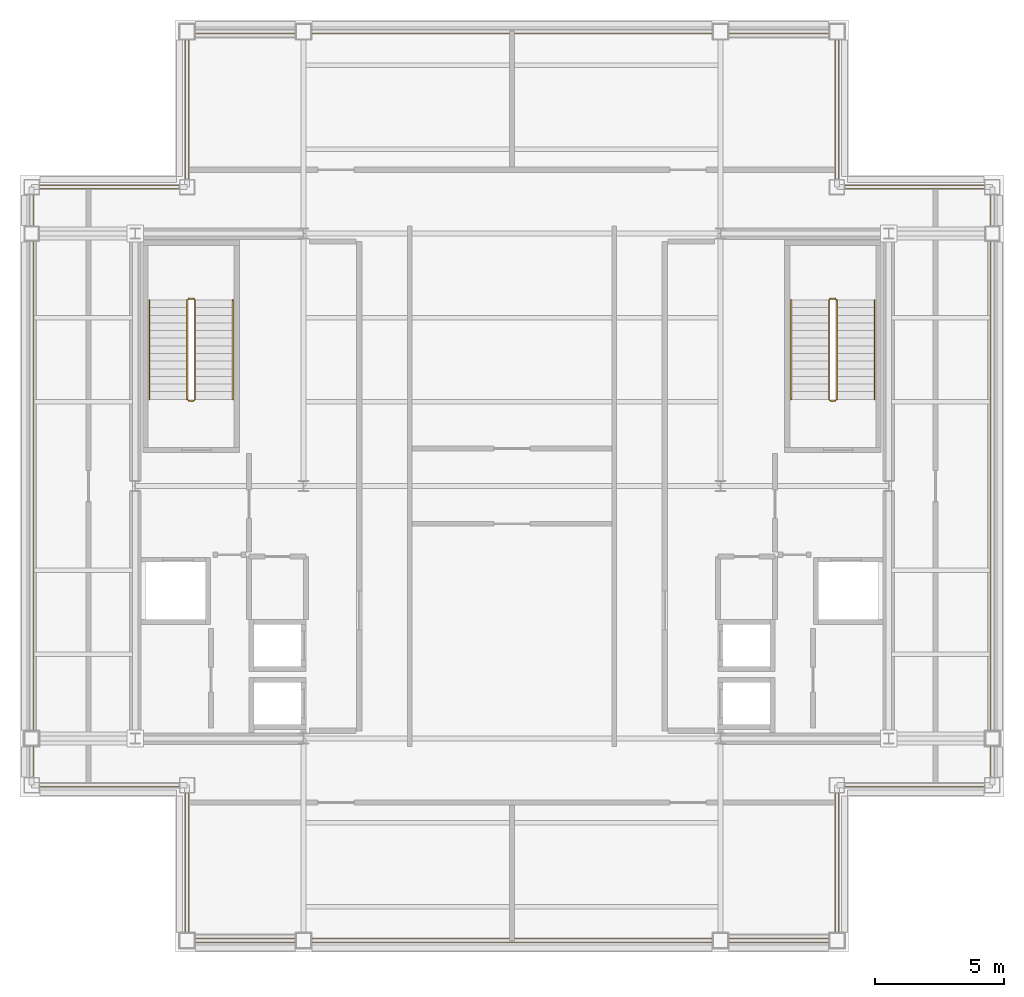
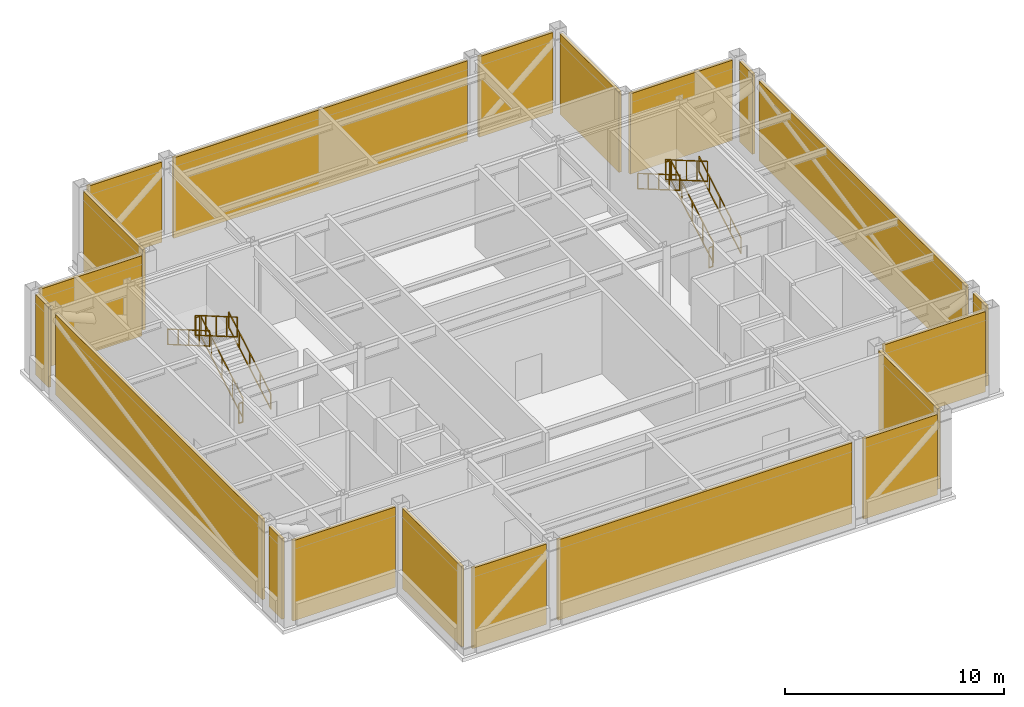
# One storey, part 6 of 6: 20 shading devices, 12 railings.
"""IFC4 building model written with IfcOpenShell, lengths in metres."""

from ifc_helpers import new_model, si_unit, direction, frame, origin, origin_2d, place, context, subcontext, project, spatial, rectangle, extrude, material, layer, layer_set, type_object, element, save


model = new_model("IFC4")

# Units and contexts
model_context = context("Model", 3, precision=1e-05, world=origin(), true_north=direction((0.0, 1.0)))
body_context = subcontext(model_context, "Body", "Model", "MODEL_VIEW")
ifc_project = project(units=[si_unit("LENGTHUNIT", "METRE"), si_unit("AREAUNIT", "SQUARE_METRE"), si_unit("VOLUMEUNIT", "CUBIC_METRE"), si_unit("PLANEANGLEUNIT", "RADIAN"), si_unit("MASSUNIT", "GRAM", prefix="KILO")], contexts=[model_context])

# Site, building, storey
site_placement = place(None, origin())
site = spatial("IfcSite", under=ifc_project, at=site_placement, CompositionType="ELEMENT")
building_placement = place(site_placement, origin())
building = spatial("IfcBuilding", under=site, at=building_placement, Name="Brelmoor Portico Tower", CompositionType="ELEMENT")
storey_placement = place(building_placement, frame((0.0, 0.0, 276.0)))
storey = spatial("IfcBuildingStorey", under=building, at=storey_placement, Name="L73", CompositionType="ELEMENT", Elevation=276.0)

# Railings
ifc_material_1 = material(Name="Painted Tubular Steel Q235B", Category="steel")
railing_type_1 = type_object("IfcRailingType", Name="RL-STAIR-GUARD", PredefinedType="GUARDRAIL", material=ifc_material_1)
railing_1_placement = place(storey_placement, frame((-12.239990234375, 3.35009765625, 0.17138671875)))
element("IfcRailing", 1, at=railing_1_placement, inside=storey, type_object=railing_type_1, Name="L73 ST-W stair guard 1", PredefinedType="GUARDRAIL", context=body_context, shape_type="SweptSolid", body=[
    extrude(rectangle(XDim=0.048095703125, YDim=0.048095703125, at=origin_2d()), frame((0.0, 0.0, 1.1259765625), z_axis=(0.0, 0.86461618451, 0.502432934314), x_axis=(-1.0, 0.0, 0.0)), (0.0, 0.0, 1.0), 4.435546875),
    extrude(rectangle(XDim=0.048095703125, YDim=0.048095703125, at=origin_2d()), frame((0.0, 0.0, 0.02392578125), z_axis=(0.0, 0.86461618451, 0.502432934314), x_axis=(-1.0, 0.0, 0.0)), (0.0, 0.0, 1.0), 4.435546875),
    extrude(rectangle(XDim=0.0419921875, YDim=0.0419921875, at=origin_2d()), origin(), (0.0, 0.0, 1.0), 1.101806640625),
    extrude(rectangle(XDim=0.0419921875, YDim=0.0419921875, at=origin_2d()), frame((0.0, 0.958740234375, 0.55712890625)), (0.0, 0.0, 1.0), 1.101806640625),
    extrude(rectangle(XDim=0.0419921875, YDim=0.0419921875, at=origin_2d()), frame((0.0, 1.91748046875, 1.1142578125)), (0.0, 0.0, 1.0), 1.101806640625),
    extrude(rectangle(XDim=0.0419921875, YDim=0.0419921875, at=origin_2d()), frame((0.0, 2.876220703125, 1.67138671875)), (0.0, 0.0, 1.0), 1.101806640625),
    extrude(rectangle(XDim=0.0419921875, YDim=0.0419921875, at=origin_2d()), frame((0.0, 3.8349609375, 2.228515625)), (0.0, 0.0, 1.0), 1.101806640625),
])
railing_2_placement = place(storey_placement, frame((-12.2900390625, 7.235107421875, 2.39990234375)))
element("IfcRailing", 2, at=railing_2_placement, inside=storey, type_object=railing_type_1, Name="L73 ST-W stair guard 2", PredefinedType="GUARDRAIL", context=body_context, shape_type="SweptSolid", body=[
    extrude(rectangle(XDim=0.048095703125, YDim=0.048095703125, at=origin_2d()), frame((0.0, 0.0, 1.1259765625), z_axis=(-1.0, 0.0, 0.0), x_axis=(0.0, -1.0, 0.0)), (0.0, 0.0, 1.0), 0.199951171875),
    extrude(rectangle(XDim=0.048095703125, YDim=0.048095703125, at=origin_2d()), frame((0.0, 0.0, 0.02392578125), z_axis=(-1.0, 0.0, 0.0), x_axis=(0.0, -1.0, 0.0)), (0.0, 0.0, 1.0), 0.199951171875),
    extrude(rectangle(XDim=0.0419921875, YDim=0.0419921875, at=origin_2d()), origin(), (0.0, 0.0, 1.0), 1.101806640625),
    extrude(rectangle(XDim=0.0419921875, YDim=0.0419921875, at=origin_2d()), frame((-0.199951171875, 0.0, 0.0)), (0.0, 0.0, 1.0), 1.101806640625),
])
railing_3_placement = place(storey_placement, frame((-12.5400390625, 7.18505859375, 2.571533203125)))
element("IfcRailing", 3, at=railing_3_placement, inside=storey, type_object=railing_type_1, Name="L73 ST-W stair guard 3", PredefinedType="GUARDRAIL", context=body_context, shape_type="SweptSolid", body=[
    extrude(rectangle(XDim=0.048095703125, YDim=0.048095703125, at=origin_2d()), frame((0.0, 0.0, 1.1259765625), z_axis=(0.0, -0.86461618451, 0.502432934314), x_axis=(1.0, 0.0, 0.0)), (0.0, 0.0, 1.0), 4.435546875),
    extrude(rectangle(XDim=0.048095703125, YDim=0.048095703125, at=origin_2d()), frame((0.0, 0.0, 0.02392578125), z_axis=(0.0, -0.86461618451, 0.502432934314), x_axis=(1.0, 0.0, 0.0)), (0.0, 0.0, 1.0), 4.435546875),
    extrude(rectangle(XDim=0.0419921875, YDim=0.0419921875, at=origin_2d()), origin(), (0.0, 0.0, 1.0), 1.101806640625),
    extrude(rectangle(XDim=0.0419921875, YDim=0.0419921875, at=origin_2d()), frame((0.0, -0.958740234375, 0.55712890625)), (0.0, 0.0, 1.0), 1.101806640625),
    extrude(rectangle(XDim=0.0419921875, YDim=0.0419921875, at=origin_2d()), frame((0.0, -1.91748046875, 1.1142578125)), (0.0, 0.0, 1.0), 1.101806640625),
    extrude(rectangle(XDim=0.0419921875, YDim=0.0419921875, at=origin_2d()), frame((0.0, -2.876220703125, 1.67138671875)), (0.0, 0.0, 1.0), 1.101806640625),
    extrude(rectangle(XDim=0.0419921875, YDim=0.0419921875, at=origin_2d()), frame((0.0, -3.8349609375, 2.228515625)), (0.0, 0.0, 1.0), 1.101806640625),
])
railing_4_placement = place(storey_placement, frame((-12.2900390625, 3.300048828125, 0.0)))
element("IfcRailing", 4, at=railing_4_placement, inside=storey, type_object=railing_type_1, Name="L73 ST-W stair guard 4", PredefinedType="GUARDRAIL", context=body_context, shape_type="SweptSolid", body=[
    extrude(rectangle(XDim=0.048095703125, YDim=0.048095703125, at=origin_2d()), frame((0.0, 0.0, 1.1259765625), z_axis=(-1.0, 0.0, 0.0), x_axis=(0.0, -1.0, 0.0)), (0.0, 0.0, 1.0), 0.199951171875),
    extrude(rectangle(XDim=0.048095703125, YDim=0.048095703125, at=origin_2d()), frame((0.0, 0.0, 0.02392578125), z_axis=(-1.0, 0.0, 0.0), x_axis=(0.0, -1.0, 0.0)), (0.0, 0.0, 1.0), 0.199951171875),
    extrude(rectangle(XDim=0.0419921875, YDim=0.0419921875, at=origin_2d()), origin(), (0.0, 0.0, 1.0), 1.101806640625),
    extrude(rectangle(XDim=0.0419921875, YDim=0.0419921875, at=origin_2d()), frame((-0.199951171875, 0.0, 0.0)), (0.0, 0.0, 1.0), 1.101806640625),
])
railing_5_placement = place(storey_placement, frame((12.5400390625, 3.35009765625, 0.17138671875)))
element("IfcRailing", 5, at=railing_5_placement, inside=storey, type_object=railing_type_1, Name="L73 ST-E stair guard 1", PredefinedType="GUARDRAIL", context=body_context, shape_type="SweptSolid", body=[
    extrude(rectangle(XDim=0.048095703125, YDim=0.048095703125, at=origin_2d()), frame((0.0, 0.0, 1.1259765625), z_axis=(0.0, 0.86461618451, 0.502432934314), x_axis=(-1.0, 0.0, 0.0)), (0.0, 0.0, 1.0), 4.435546875),
    extrude(rectangle(XDim=0.048095703125, YDim=0.048095703125, at=origin_2d()), frame((0.0, 0.0, 0.02392578125), z_axis=(0.0, 0.86461618451, 0.502432934314), x_axis=(-1.0, 0.0, 0.0)), (0.0, 0.0, 1.0), 4.435546875),
    extrude(rectangle(XDim=0.0419921875, YDim=0.0419921875, at=origin_2d()), origin(), (0.0, 0.0, 1.0), 1.101806640625),
    extrude(rectangle(XDim=0.0419921875, YDim=0.0419921875, at=origin_2d()), frame((0.0, 0.958740234375, 0.55712890625)), (0.0, 0.0, 1.0), 1.101806640625),
    extrude(rectangle(XDim=0.0419921875, YDim=0.0419921875, at=origin_2d()), frame((0.0, 1.91748046875, 1.1142578125)), (0.0, 0.0, 1.0), 1.101806640625),
    extrude(rectangle(XDim=0.0419921875, YDim=0.0419921875, at=origin_2d()), frame((0.0, 2.876220703125, 1.67138671875)), (0.0, 0.0, 1.0), 1.101806640625),
    extrude(rectangle(XDim=0.0419921875, YDim=0.0419921875, at=origin_2d()), frame((0.0, 3.8349609375, 2.228515625)), (0.0, 0.0, 1.0), 1.101806640625),
])
railing_6_placement = place(storey_placement, frame((12.489990234375, 7.235107421875, 2.39990234375)))
element("IfcRailing", 6, at=railing_6_placement, inside=storey, type_object=railing_type_1, Name="L73 ST-E stair guard 2", PredefinedType="GUARDRAIL", context=body_context, shape_type="SweptSolid", body=[
    extrude(rectangle(XDim=0.048095703125, YDim=0.048095703125, at=origin_2d()), frame((0.0, 0.0, 1.1259765625), z_axis=(-1.0, 0.0, 0.0), x_axis=(0.0, -1.0, 0.0)), (0.0, 0.0, 1.0), 0.199951171875),
    extrude(rectangle(XDim=0.048095703125, YDim=0.048095703125, at=origin_2d()), frame((0.0, 0.0, 0.02392578125), z_axis=(-1.0, 0.0, 0.0), x_axis=(0.0, -1.0, 0.0)), (0.0, 0.0, 1.0), 0.199951171875),
    extrude(rectangle(XDim=0.0419921875, YDim=0.0419921875, at=origin_2d()), origin(), (0.0, 0.0, 1.0), 1.101806640625),
    extrude(rectangle(XDim=0.0419921875, YDim=0.0419921875, at=origin_2d()), frame((-0.199951171875, 0.0, 0.0)), (0.0, 0.0, 1.0), 1.101806640625),
])
railing_7_placement = place(storey_placement, frame((12.239990234375, 7.18505859375, 2.571533203125)))
element("IfcRailing", 7, at=railing_7_placement, inside=storey, type_object=railing_type_1, Name="L73 ST-E stair guard 3", PredefinedType="GUARDRAIL", context=body_context, shape_type="SweptSolid", body=[
    extrude(rectangle(XDim=0.048095703125, YDim=0.048095703125, at=origin_2d()), frame((0.0, 0.0, 1.1259765625), z_axis=(0.0, -0.86461618451, 0.502432934314), x_axis=(1.0, 0.0, 0.0)), (0.0, 0.0, 1.0), 4.435546875),
    extrude(rectangle(XDim=0.048095703125, YDim=0.048095703125, at=origin_2d()), frame((0.0, 0.0, 0.02392578125), z_axis=(0.0, -0.86461618451, 0.502432934314), x_axis=(1.0, 0.0, 0.0)), (0.0, 0.0, 1.0), 4.435546875),
    extrude(rectangle(XDim=0.0419921875, YDim=0.0419921875, at=origin_2d()), origin(), (0.0, 0.0, 1.0), 1.101806640625),
    extrude(rectangle(XDim=0.0419921875, YDim=0.0419921875, at=origin_2d()), frame((0.0, -0.958740234375, 0.55712890625)), (0.0, 0.0, 1.0), 1.101806640625),
    extrude(rectangle(XDim=0.0419921875, YDim=0.0419921875, at=origin_2d()), frame((0.0, -1.91748046875, 1.1142578125)), (0.0, 0.0, 1.0), 1.101806640625),
    extrude(rectangle(XDim=0.0419921875, YDim=0.0419921875, at=origin_2d()), frame((0.0, -2.876220703125, 1.67138671875)), (0.0, 0.0, 1.0), 1.101806640625),
    extrude(rectangle(XDim=0.0419921875, YDim=0.0419921875, at=origin_2d()), frame((0.0, -3.8349609375, 2.228515625)), (0.0, 0.0, 1.0), 1.101806640625),
])
railing_8_placement = place(storey_placement, frame((12.489990234375, 3.300048828125, 0.0)))
element("IfcRailing", 8, at=railing_8_placement, inside=storey, type_object=railing_type_1, Name="L73 ST-E stair guard 4", PredefinedType="GUARDRAIL", context=body_context, shape_type="SweptSolid", body=[
    extrude(rectangle(XDim=0.048095703125, YDim=0.048095703125, at=origin_2d()), frame((0.0, 0.0, 1.1259765625), z_axis=(-1.0, 0.0, 0.0), x_axis=(0.0, -1.0, 0.0)), (0.0, 0.0, 1.0), 0.199951171875),
    extrude(rectangle(XDim=0.048095703125, YDim=0.048095703125, at=origin_2d()), frame((0.0, 0.0, 0.02392578125), z_axis=(-1.0, 0.0, 0.0), x_axis=(0.0, -1.0, 0.0)), (0.0, 0.0, 1.0), 0.199951171875),
    extrude(rectangle(XDim=0.0419921875, YDim=0.0419921875, at=origin_2d()), origin(), (0.0, 0.0, 1.0), 1.101806640625),
    extrude(rectangle(XDim=0.0419921875, YDim=0.0419921875, at=origin_2d()), frame((-0.199951171875, 0.0, 0.0)), (0.0, 0.0, 1.0), 1.101806640625),
])
ifc_material_2 = material(Name="Brushed Stainless Steel 304", Category="steel")
railing_type_2 = type_object("IfcRailingType", Name="RL-STAIR-HANDRAIL", PredefinedType="HANDRAIL", material=ifc_material_2)
railing_9_placement = place(storey_placement, frame((-10.780029296875, 3.35009765625, 0.17138671875)))
element("IfcRailing", 9, at=railing_9_placement, inside=storey, type_object=railing_type_2, Name="L73 ST-W stair handrail 1", PredefinedType="HANDRAIL", context=body_context, shape_type="SweptSolid", body=[
    extrude(rectangle(XDim=0.048095703125, YDim=0.048095703125, at=origin_2d()), frame((0.0, 0.0, 0.8759765625), z_axis=(0.0, 0.86461618451, 0.502432934314), x_axis=(-1.0, 0.0, 0.0)), (0.0, 0.0, 1.0), 4.435546875),
    extrude(rectangle(XDim=0.048095703125, YDim=0.048095703125, at=origin_2d()), frame((0.0, 0.0, 0.02392578125), z_axis=(0.0, 0.86461618451, 0.502432934314), x_axis=(-1.0, 0.0, 0.0)), (0.0, 0.0, 1.0), 4.435546875),
    extrude(rectangle(XDim=0.0419921875, YDim=0.0419921875, at=origin_2d()), origin(), (0.0, 0.0, 1.0), 0.851806640625),
    extrude(rectangle(XDim=0.0419921875, YDim=0.0419921875, at=origin_2d()), frame((0.0, 0.958740234375, 0.55712890625)), (0.0, 0.0, 1.0), 0.851806640625),
    extrude(rectangle(XDim=0.0419921875, YDim=0.0419921875, at=origin_2d()), frame((0.0, 1.91748046875, 1.1142578125)), (0.0, 0.0, 1.0), 0.851806640625),
    extrude(rectangle(XDim=0.0419921875, YDim=0.0419921875, at=origin_2d()), frame((0.0, 2.876220703125, 1.67138671875)), (0.0, 0.0, 1.0), 0.851806640625),
    extrude(rectangle(XDim=0.0419921875, YDim=0.0419921875, at=origin_2d()), frame((0.0, 3.8349609375, 2.228515625)), (0.0, 0.0, 1.0), 0.851806640625),
])
railing_10_placement = place(storey_placement, frame((-14.0, 7.18505859375, 2.571533203125)))
element("IfcRailing", 10, at=railing_10_placement, inside=storey, type_object=railing_type_2, Name="L73 ST-W stair handrail 2", PredefinedType="HANDRAIL", context=body_context, shape_type="SweptSolid", body=[
    extrude(rectangle(XDim=0.048095703125, YDim=0.048095703125, at=origin_2d()), frame((0.0, 0.0, 0.8759765625), z_axis=(0.0, -0.86461618451, 0.502432934314), x_axis=(1.0, 0.0, 0.0)), (0.0, 0.0, 1.0), 4.435546875),
    extrude(rectangle(XDim=0.048095703125, YDim=0.048095703125, at=origin_2d()), frame((0.0, 0.0, 0.02392578125), z_axis=(0.0, -0.86461618451, 0.502432934314), x_axis=(1.0, 0.0, 0.0)), (0.0, 0.0, 1.0), 4.435546875),
    extrude(rectangle(XDim=0.0419921875, YDim=0.0419921875, at=origin_2d()), origin(), (0.0, 0.0, 1.0), 0.851806640625),
    extrude(rectangle(XDim=0.0419921875, YDim=0.0419921875, at=origin_2d()), frame((0.0, -0.958740234375, 0.55712890625)), (0.0, 0.0, 1.0), 0.851806640625),
    extrude(rectangle(XDim=0.0419921875, YDim=0.0419921875, at=origin_2d()), frame((0.0, -1.91748046875, 1.1142578125)), (0.0, 0.0, 1.0), 0.851806640625),
    extrude(rectangle(XDim=0.0419921875, YDim=0.0419921875, at=origin_2d()), frame((0.0, -2.876220703125, 1.67138671875)), (0.0, 0.0, 1.0), 0.851806640625),
    extrude(rectangle(XDim=0.0419921875, YDim=0.0419921875, at=origin_2d()), frame((0.0, -3.8349609375, 2.228515625)), (0.0, 0.0, 1.0), 0.851806640625),
])
railing_11_placement = place(storey_placement, frame((14.0, 3.35009765625, 0.17138671875)))
element("IfcRailing", 11, at=railing_11_placement, inside=storey, type_object=railing_type_2, Name="L73 ST-E stair handrail 1", PredefinedType="HANDRAIL", context=body_context, shape_type="SweptSolid", body=[
    extrude(rectangle(XDim=0.048095703125, YDim=0.048095703125, at=origin_2d()), frame((0.0, 0.0, 0.8759765625), z_axis=(0.0, 0.86461618451, 0.502432934314), x_axis=(-1.0, 0.0, 0.0)), (0.0, 0.0, 1.0), 4.435546875),
    extrude(rectangle(XDim=0.048095703125, YDim=0.048095703125, at=origin_2d()), frame((0.0, 0.0, 0.02392578125), z_axis=(0.0, 0.86461618451, 0.502432934314), x_axis=(-1.0, 0.0, 0.0)), (0.0, 0.0, 1.0), 4.435546875),
    extrude(rectangle(XDim=0.0419921875, YDim=0.0419921875, at=origin_2d()), origin(), (0.0, 0.0, 1.0), 0.851806640625),
    extrude(rectangle(XDim=0.0419921875, YDim=0.0419921875, at=origin_2d()), frame((0.0, 0.958740234375, 0.55712890625)), (0.0, 0.0, 1.0), 0.851806640625),
    extrude(rectangle(XDim=0.0419921875, YDim=0.0419921875, at=origin_2d()), frame((0.0, 1.91748046875, 1.1142578125)), (0.0, 0.0, 1.0), 0.851806640625),
    extrude(rectangle(XDim=0.0419921875, YDim=0.0419921875, at=origin_2d()), frame((0.0, 2.876220703125, 1.67138671875)), (0.0, 0.0, 1.0), 0.851806640625),
    extrude(rectangle(XDim=0.0419921875, YDim=0.0419921875, at=origin_2d()), frame((0.0, 3.8349609375, 2.228515625)), (0.0, 0.0, 1.0), 0.851806640625),
])
railing_12_placement = place(storey_placement, frame((10.780029296875, 7.18505859375, 2.571533203125)))
element("IfcRailing", 12, at=railing_12_placement, inside=storey, type_object=railing_type_2, Name="L73 ST-E stair handrail 2", PredefinedType="HANDRAIL", context=body_context, shape_type="SweptSolid", body=[
    extrude(rectangle(XDim=0.048095703125, YDim=0.048095703125, at=origin_2d()), frame((0.0, 0.0, 0.8759765625), z_axis=(0.0, -0.86461618451, 0.502432934314), x_axis=(1.0, 0.0, 0.0)), (0.0, 0.0, 1.0), 4.435546875),
    extrude(rectangle(XDim=0.048095703125, YDim=0.048095703125, at=origin_2d()), frame((0.0, 0.0, 0.02392578125), z_axis=(0.0, -0.86461618451, 0.502432934314), x_axis=(1.0, 0.0, 0.0)), (0.0, 0.0, 1.0), 4.435546875),
    extrude(rectangle(XDim=0.0419921875, YDim=0.0419921875, at=origin_2d()), origin(), (0.0, 0.0, 1.0), 0.851806640625),
    extrude(rectangle(XDim=0.0419921875, YDim=0.0419921875, at=origin_2d()), frame((0.0, -0.958740234375, 0.55712890625)), (0.0, 0.0, 1.0), 0.851806640625),
    extrude(rectangle(XDim=0.0419921875, YDim=0.0419921875, at=origin_2d()), frame((0.0, -1.91748046875, 1.1142578125)), (0.0, 0.0, 1.0), 0.851806640625),
    extrude(rectangle(XDim=0.0419921875, YDim=0.0419921875, at=origin_2d()), frame((0.0, -2.876220703125, 1.67138671875)), (0.0, 0.0, 1.0), 0.851806640625),
    extrude(rectangle(XDim=0.0419921875, YDim=0.0419921875, at=origin_2d()), frame((0.0, -3.8349609375, 2.228515625)), (0.0, 0.0, 1.0), 0.851806640625),
])

# Shading devices
ifc_material_3 = material(Name="Extruded Aluminium Acoustic Weather Louvre", Category="aluminium")
ifc_layer = layer(ifc_material_3, 0.139892578125)
ifc_layer_set = layer_set([ifc_layer], Name="Extruded Aluminium Acoustic Weather Louvre")
shading_device_type = type_object("IfcShadingDeviceType", Name="SD-PLANT-LOUVRE", PredefinedType="USERDEFINED", material=ifc_layer_set)
shading_device_1_placement = place(storey_placement, frame((-10.300048828125, -17.550048828125, 0.06005859375), z_axis=(0.0, 0.0, 1.0), x_axis=(1.0, 0.0, 0.0)))
element("IfcShadingDevice", 13, at=shading_device_1_placement, inside=storey, type_object=shading_device_type, Name="L73 Acoustic Plant Louvre S-1", ObjectType="LOUVRE", PredefinedType="USERDEFINED", context=body_context, shape_type="SweptSolid", body=[
    extrude(rectangle(XDim=3.8798828125, YDim=0.139892578125, at=origin_2d()), origin(), (0.0, 0.0, 1.0), 4.47998046875),
])
shading_device_2_placement = place(storey_placement, frame((0.0, -17.550048828125, 0.06005859375), z_axis=(0.0, 0.0, 1.0), x_axis=(1.0, 0.0, 0.0)))
element("IfcShadingDevice", 14, at=shading_device_2_placement, inside=storey, type_object=shading_device_type, Name="L73 Acoustic Plant Louvre S-2", ObjectType="LOUVRE", PredefinedType="USERDEFINED", context=body_context, shape_type="SweptSolid", body=[
    extrude(rectangle(XDim=15.47998046875, YDim=0.139892578125, at=origin_2d()), origin(), (0.0, 0.0, 1.0), 4.47998046875),
])
for number, where, z_axis, x_axis, name in (
    (15, (10.300048828125, -17.550048828125, 0.06005859375), (0.0, 0.0, 1.0), (1.0, 0.0, 0.0), "L73 Acoustic Plant Louvre S-3"),
    (16, (-10.300048828125, 17.550048828125, 0.06005859375), (0.0, 0.0, 1.0), (1.0, 0.0, 0.0), "L73 Acoustic Plant Louvre N-1"),
):
    element("IfcShadingDevice", number, at=place(storey_placement, frame(where, z_axis=z_axis, x_axis=x_axis)), inside=storey, type_object=shading_device_type, Name=name, ObjectType="LOUVRE", PredefinedType="USERDEFINED", context=body_context, shape_type="SweptSolid", body=[
        extrude(rectangle(XDim=3.8798828125, YDim=0.139892578125, at=origin_2d()), origin(), (0.0, 0.0, 1.0), 4.47998046875),
    ])
shading_device_3_placement = place(storey_placement, frame((0.0, 17.550048828125, 0.06005859375), z_axis=(0.0, 0.0, 1.0), x_axis=(1.0, 0.0, 0.0)))
element("IfcShadingDevice", 17, at=shading_device_3_placement, inside=storey, type_object=shading_device_type, Name="L73 Acoustic Plant Louvre N-2", ObjectType="LOUVRE", PredefinedType="USERDEFINED", context=body_context, shape_type="SweptSolid", body=[
    extrude(rectangle(XDim=15.47998046875, YDim=0.139892578125, at=origin_2d()), origin(), (0.0, 0.0, 1.0), 4.47998046875),
])
shading_device_4_placement = place(storey_placement, frame((10.300048828125, 17.550048828125, 0.06005859375), z_axis=(0.0, 0.0, 1.0), x_axis=(1.0, 0.0, 0.0)))
element("IfcShadingDevice", 18, at=shading_device_4_placement, inside=storey, type_object=shading_device_type, Name="L73 Acoustic Plant Louvre N-3", ObjectType="LOUVRE", PredefinedType="USERDEFINED", context=body_context, shape_type="SweptSolid", body=[
    extrude(rectangle(XDim=3.8798828125, YDim=0.139892578125, at=origin_2d()), origin(), (0.0, 0.0, 1.0), 4.47998046875),
])
shading_device_5_placement = place(storey_placement, frame((-18.550048828125, -10.64990234375, 0.06005859375), z_axis=(0.0, 0.0, 1.0), x_axis=(0.0, 1.0, 0.0)))
element("IfcShadingDevice", 19, at=shading_device_5_placement, inside=storey, type_object=shading_device_type, Name="L73 Acoustic Plant Louvre W-1", ObjectType="LOUVRE", PredefinedType="USERDEFINED", context=body_context, shape_type="SweptSolid", body=[
    extrude(rectangle(XDim=1.179931640625, YDim=0.139892578125, at=origin_2d()), origin(), (0.0, 0.0, 1.0), 4.47998046875),
])
shading_device_6_placement = place(storey_placement, frame((-18.550048828125, 0.0, 0.06005859375), z_axis=(0.0, 0.0, 1.0), x_axis=(0.0, 1.0, 0.0)))
element("IfcShadingDevice", 20, at=shading_device_6_placement, inside=storey, type_object=shading_device_type, Name="L73 Acoustic Plant Louvre W-2", ObjectType="LOUVRE", PredefinedType="USERDEFINED", context=body_context, shape_type="SweptSolid", body=[
    extrude(rectangle(XDim=18.8798828125, YDim=0.139892578125, at=origin_2d()), origin(), (0.0, 0.0, 1.0), 4.47998046875),
])
for number, where, z_axis, x_axis, name in (
    (21, (-18.550048828125, 10.64990234375, 0.06005859375), (0.0, 0.0, 1.0), (0.0, 1.0, 0.0), "L73 Acoustic Plant Louvre W-3"),
    (22, (18.550048828125, -10.64990234375, 0.06005859375), (0.0, 0.0, 1.0), (0.0, 1.0, 0.0), "L73 Acoustic Plant Louvre E-1"),
):
    element("IfcShadingDevice", number, at=place(storey_placement, frame(where, z_axis=z_axis, x_axis=x_axis)), inside=storey, type_object=shading_device_type, Name=name, ObjectType="LOUVRE", PredefinedType="USERDEFINED", context=body_context, shape_type="SweptSolid", body=[
        extrude(rectangle(XDim=1.179931640625, YDim=0.139892578125, at=origin_2d()), origin(), (0.0, 0.0, 1.0), 4.47998046875),
    ])
shading_device_7_placement = place(storey_placement, frame((18.550048828125, 0.0, 0.06005859375), z_axis=(0.0, 0.0, 1.0), x_axis=(0.0, 1.0, 0.0)))
element("IfcShadingDevice", 23, at=shading_device_7_placement, inside=storey, type_object=shading_device_type, Name="L73 Acoustic Plant Louvre E-2", ObjectType="LOUVRE", PredefinedType="USERDEFINED", context=body_context, shape_type="SweptSolid", body=[
    extrude(rectangle(XDim=18.8798828125, YDim=0.139892578125, at=origin_2d()), origin(), (0.0, 0.0, 1.0), 4.47998046875),
])
shading_device_8_placement = place(storey_placement, frame((18.550048828125, 10.64990234375, 0.06005859375), z_axis=(0.0, 0.0, 1.0), x_axis=(0.0, 1.0, 0.0)))
element("IfcShadingDevice", 24, at=shading_device_8_placement, inside=storey, type_object=shading_device_type, Name="L73 Acoustic Plant Louvre E-3", ObjectType="LOUVRE", PredefinedType="USERDEFINED", context=body_context, shape_type="SweptSolid", body=[
    extrude(rectangle(XDim=1.179931640625, YDim=0.139892578125, at=origin_2d()), origin(), (0.0, 0.0, 1.0), 4.47998046875),
])
for number, where, z_axis, x_axis, name in (
    (25, (-12.550048828125, -14.550048828125, 0.06005859375), (0.0, 0.0, 1.0), (0.0, 1.0, 0.0), "L73 Acoustic Plant Louvre SW1-1"),
    (26, (-15.550048828125, -11.550048828125, 0.06005859375), (0.0, 0.0, 1.0), (1.0, 0.0, 0.0), "L73 Acoustic Plant Louvre SW2-1"),
    (27, (12.550048828125, -14.550048828125, 0.06005859375), (0.0, 0.0, 1.0), (0.0, 1.0, 0.0), "L73 Acoustic Plant Louvre SE1-1"),
    (28, (15.550048828125, -11.550048828125, 0.06005859375), (0.0, 0.0, 1.0), (1.0, 0.0, 0.0), "L73 Acoustic Plant Louvre SE2-1"),
    (29, (-12.550048828125, 14.550048828125, 0.06005859375), (0.0, 0.0, 1.0), (0.0, 1.0, 0.0), "L73 Acoustic Plant Louvre NW1-1"),
    (30, (-15.550048828125, 11.550048828125, 0.06005859375), (0.0, 0.0, 1.0), (1.0, 0.0, 0.0), "L73 Acoustic Plant Louvre NW2-1"),
    (31, (12.550048828125, 14.550048828125, 0.06005859375), (0.0, 0.0, 1.0), (0.0, 1.0, 0.0), "L73 Acoustic Plant Louvre NE1-1"),
    (32, (15.550048828125, 11.550048828125, 0.06005859375), (0.0, 0.0, 1.0), (1.0, 0.0, 0.0), "L73 Acoustic Plant Louvre NE2-1"),
):
    element("IfcShadingDevice", number, at=place(storey_placement, frame(where, z_axis=z_axis, x_axis=x_axis)), inside=storey, type_object=shading_device_type, Name=name, ObjectType="LOUVRE", PredefinedType="USERDEFINED", context=body_context, shape_type="SweptSolid", body=[
        extrude(rectangle(XDim=5.3798828125, YDim=0.139892578125, at=origin_2d()), origin(), (0.0, 0.0, 1.0), 4.47998046875),
    ])

save(model, "model.ifc")
